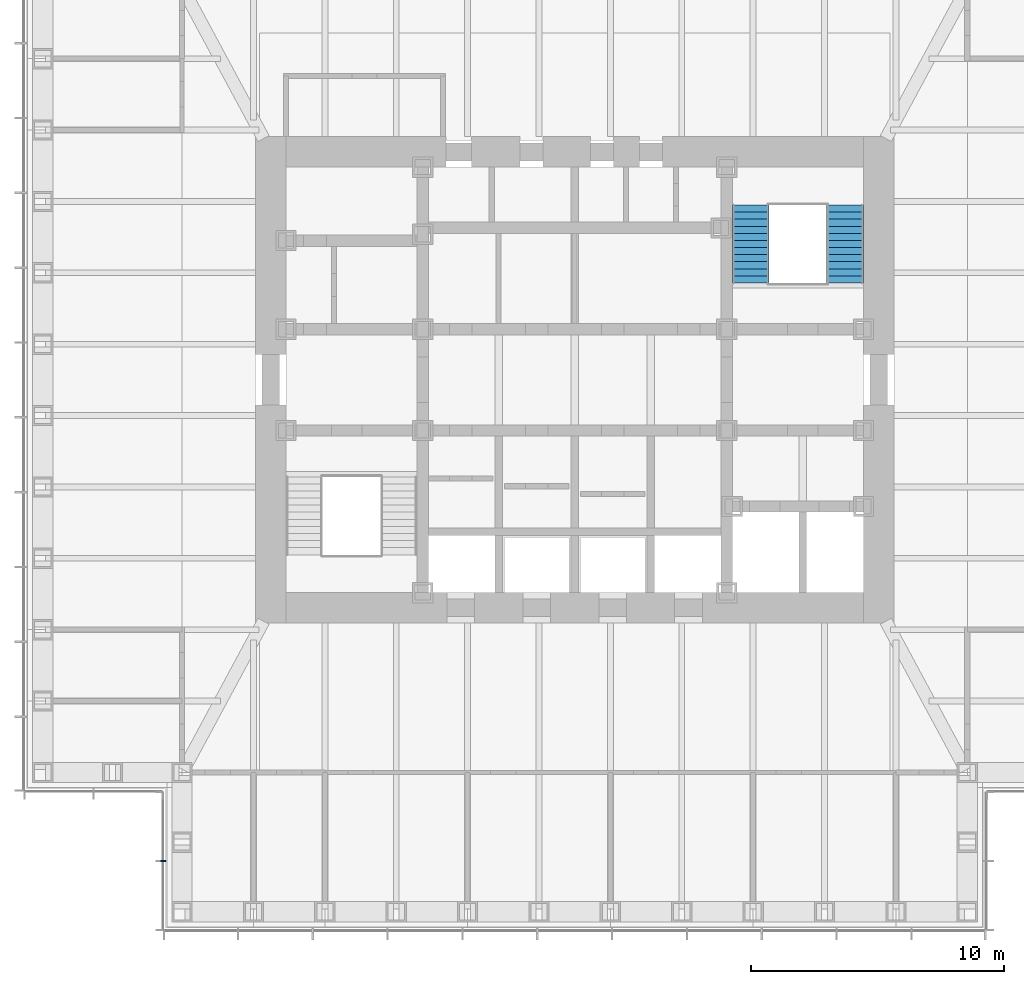
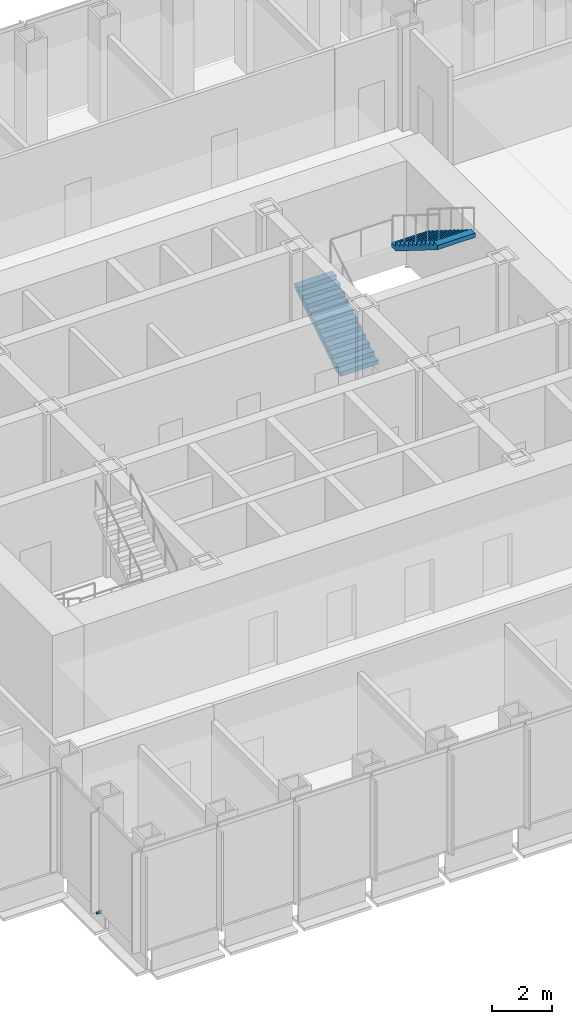
# One storey, part 11 of 17: 2 stair flights, 1 discrete accessory, 1 element without a shape of its own.
"""IFC4 building model written with IfcOpenShell, lengths in metres."""

from ifc_helpers import new_model, si_unit, direction, frame, origin, origin_2d, place, context, subcontext, project, spatial, polyline, rectangle, outline, extrude, material, type_object, element, aggregate, save


model = new_model("IFC4")

# Units and contexts
model_context = context("Model", 3, precision=1e-05, world=origin(), true_north=direction((0.0, 1.0)))
body_context = subcontext(model_context, "Body", "Model", "MODEL_VIEW")
ifc_project = project(units=[si_unit("LENGTHUNIT", "METRE"), si_unit("AREAUNIT", "SQUARE_METRE"), si_unit("VOLUMEUNIT", "CUBIC_METRE"), si_unit("PLANEANGLEUNIT", "RADIAN"), si_unit("MASSUNIT", "GRAM", prefix="KILO")], contexts=[model_context])

# Site, building, storey
site_placement = place(None, origin())
site = spatial("IfcSite", under=ifc_project, at=site_placement, CompositionType="ELEMENT")
building_placement = place(site_placement, origin())
building = spatial("IfcBuilding", under=site, at=building_placement, Name="Daluyong Arena Tower", CompositionType="ELEMENT")
storey_placement = place(building_placement, frame((0.0, 0.0, 223.300048828125)))
storey = spatial("IfcBuildingStorey", under=building, at=storey_placement, Name="L50", CompositionType="ELEMENT", Elevation=223.300048828125)

# Stair, stair flights
ifc_material_1 = material(Name="Concrete fc' 35 MPa", Category="concrete")
stair_type = type_object("IfcStairType", Name="Core exit stair", PredefinedType="HALF_TURN_STAIR", material=ifc_material_1)
stair_placement = place(storey_placement, origin())
stair = element("IfcStair", 1, at=stair_placement, inside=storey, type_object=stair_type, Name="exit stair B L50", PredefinedType="HALF_TURN_STAIR")
ifc_material_2 = material(Name="Concrete fc' 35 MPa", Category="concrete")
stair_flight_type = type_object("IfcStairFlightType", Name="Core stair flight", PredefinedType="STRAIGHT", material=ifc_material_2)
stair_flight_1_placement = place(storey_placement, frame((62.949951171875, 83.824951171875, 0.0), z_axis=(0.0, 0.0, 1.0), x_axis=(0.0, 1.0, 0.0)))
stair_flight_1 = element("IfcStairFlight", 2, at=stair_flight_1_placement, type_object=stair_flight_type, Name="STB flight 1", NumberOfRisers=12, NumberOfTreads=11, PredefinedType="STRAIGHT", RiserHeight=0.175, TreadLength=0.28, context=body_context, shape_type="SweptSolid", body=[
    extrude(outline(polyline([(0.0, 0.0), (0.0, 0.175048828125), (0.280029296875, 0.175048828125), (0.280029296875, 0.35009765625), (0.56005859375, 0.35009765625), (0.56005859375, 0.52490234375), (0.840087890625, 0.52490234375), (0.840087890625, 0.699951171875), (1.1201171875, 0.699951171875), (1.1201171875, 0.875), (1.39990234375, 0.875), (1.39990234375, 1.050048828125), (1.679931640625, 1.050048828125), (1.679931640625, 1.22509765625), (1.9599609375, 1.22509765625), (1.9599609375, 1.39990234375), (2.239990234375, 1.39990234375), (2.239990234375, 1.574951171875), (2.52001953125, 1.574951171875), (2.52001953125, 1.75), (2.800048828125, 1.75), (2.800048828125, 1.925048828125), (3.080078125, 1.925048828125), (3.080078125, 2.10009765625), (3.080078125, 1.748291015625), (0.28271484375, 0.0), (0.0, 0.0)])), frame((0.0, 0.72509765625, 0.0), z_axis=(0.0, -1.0, 0.0), x_axis=(1.0, 0.0, 0.0)), (0.0, 0.0, 1.0), 1.449951171875),
])
stair_flight_2_placement = place(storey_placement, frame((66.675048828125, 86.905029296875, 2.099853515625), z_axis=(0.0, 0.0, 1.0), x_axis=(0.0, -1.0, 0.0)))
stair_flight_2 = element("IfcStairFlight", 3, at=stair_flight_2_placement, type_object=stair_flight_type, Name="STB flight 2", NumberOfRisers=12, NumberOfTreads=11, PredefinedType="STRAIGHT", RiserHeight=0.175, TreadLength=0.28, context=body_context, shape_type="SweptSolid", body=[
    extrude(outline(polyline([(0.0, 0.0), (0.0, 0.175048828125), (0.280029296875, 0.175048828125), (0.280029296875, 0.35009765625), (0.56005859375, 0.35009765625), (0.56005859375, 0.52490234375), (0.840087890625, 0.52490234375), (0.840087890625, 0.699951171875), (1.1201171875, 0.699951171875), (1.1201171875, 0.875), (1.39990234375, 0.875), (1.39990234375, 1.050048828125), (1.679931640625, 1.050048828125), (1.679931640625, 1.22509765625), (1.9599609375, 1.22509765625), (1.9599609375, 1.39990234375), (2.239990234375, 1.39990234375), (2.239990234375, 1.574951171875), (2.52001953125, 1.574951171875), (2.52001953125, 1.75), (2.800048828125, 1.75), (2.800048828125, 1.925048828125), (3.080078125, 1.925048828125), (3.080078125, 2.10009765625), (3.080078125, 1.748291015625), (0.28271484375, 0.0), (0.0, 0.0)])), frame((0.0, 0.72509765625, 0.0), z_axis=(0.0, -1.0, 0.0), x_axis=(1.0, 0.0, 0.0)), (0.0, 0.0, 1.0), 1.449951171875),
])
aggregate(stair, [stair_flight_1, stair_flight_2])

# Discrete accessory
discrete_accessory_placement = place(storey_placement, frame((39.75, 61.0, -0.10009765625), z_axis=(0.0, 0.0, 1.0), x_axis=(0.0, -1.0, 0.0)))
element("IfcDiscreteAccessory", 4, at=discrete_accessory_placement, inside=storey, Name="curtain wall L50 SW-W anchor bracket 2", PredefinedType="BRACKET", context=body_context, shape_type="SweptSolid", body=[
    extrude(rectangle(XDim=0.06005859375, YDim=0.199951171875, at=origin_2d()), origin(), (0.0, 0.0, 1.0), 0.10009765625),
])

save(model, "model.ifc")
